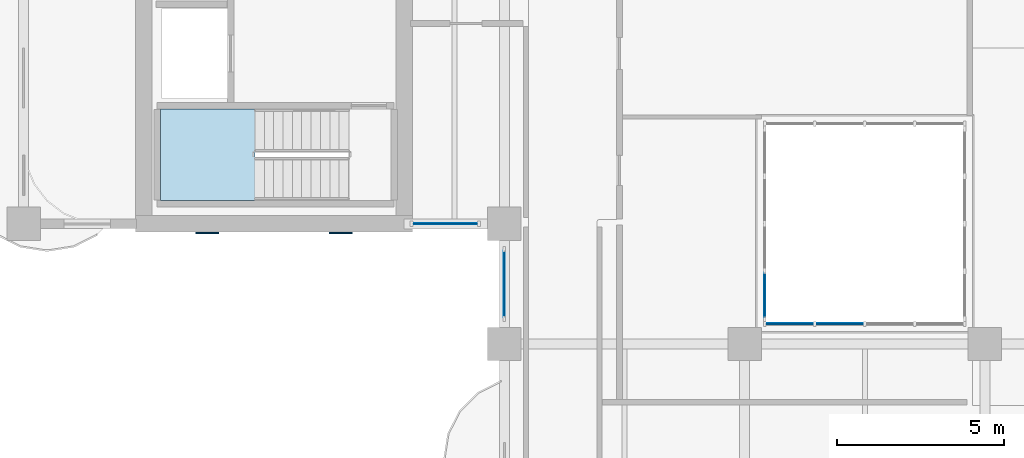
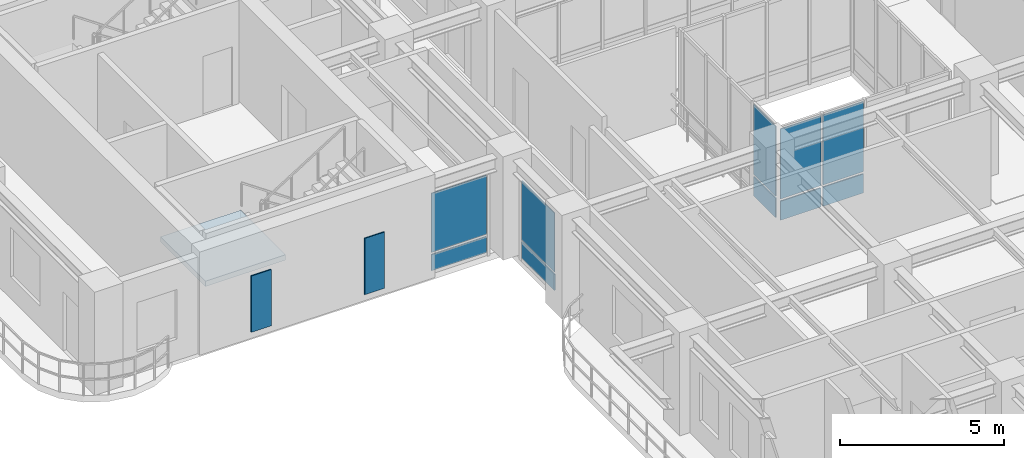
# One storey, part 8 of 19: 12 plates, 1 slab, 5 elements without a shape of their own.
"""IFC4 building model written with IfcOpenShell, lengths in metres."""

from ifc_helpers import new_model, si_unit, derived_unit, direction, frame, origin, origin_2d, place, context, subcontext, project, spatial, polyline, rectangle, outline, extrude, source, transform, mapped, material, layer, layer_set, type_object, type_shapes, element, aggregate, save


model = new_model("IFC4")

# Units and contexts
model_context = context("Model", 3, precision=1e-05, world=origin(), true_north=direction((0.0, 1.0)))
body_context = subcontext(model_context, "Body", "Model", "MODEL_VIEW")
ifc_project = project(units=[si_unit("LENGTHUNIT", "METRE"), si_unit("AREAUNIT", "SQUARE_METRE"), si_unit("VOLUMEUNIT", "CUBIC_METRE"), si_unit("PLANEANGLEUNIT", "RADIAN"), si_unit("MASSUNIT", "GRAM", prefix="KILO"), si_unit("THERMODYNAMICTEMPERATUREUNIT", "KELVIN"), si_unit("POWERUNIT", "WATT"), derived_unit("THERMALTRANSMITTANCEUNIT", [(si_unit("POWERUNIT", "WATT"), 1), (si_unit("AREAUNIT", "SQUARE_METRE"), -1), (si_unit("THERMODYNAMICTEMPERATUREUNIT", "KELVIN"), -1)])], contexts=[model_context])

# Site, building, storey
site_placement = place(None, origin())
site = spatial("IfcSite", under=ifc_project, at=site_placement, CompositionType="ELEMENT")
building_placement = place(site_placement, origin())
building = spatial("IfcBuilding", under=site, at=building_placement, Name="Zahravan Archway Hotel and Residences", CompositionType="ELEMENT")
storey_placement = place(building_placement, frame((0.0, 0.0, 150.300048828125)))
storey = spatial("IfcBuildingStorey", under=building, at=storey_placement, Name="L37", CompositionType="ELEMENT", Elevation=150.300048828125)

# Stair, slab
ifc_material_1 = material(Name="Concrete C50/60", Category="concrete")
stair_type = type_object("IfcStairType", Name="STR-CORE-1300", PredefinedType="HALF_TURN_STAIR", material=ifc_material_1)
stair_placement = place(storey_placement, origin())
stair = element("IfcStair", 1, at=stair_placement, inside=storey, type_object=stair_type, Name="L37 Core B Exit Stair 1", PredefinedType="HALF_TURN_STAIR")
ifc_layer_1 = layer(ifc_material_1, 0.199951171875, Name="Concrete C50/60", Category="concrete")
ifc_layer_set_1 = layer_set([ifc_layer_1], Name="Concrete C50/60")
slab_type = type_object("IfcSlabType", Name="SLB-LND-200", PredefinedType="LANDING", material=ifc_layer_set_1)
slab_placement = place(storey_placement, frame((0.0, 0.0, 1.724853515625)))
slab = element("IfcSlab", 2, at=slab_placement, type_object=slab_type, Name="ST-B1 landing 1", PredefinedType="LANDING", context=body_context, shape_type="SweptSolid", body=[
    extrude(outline(polyline([(6.929931640625, 28.639892578125), (4.10009765625, 28.639892578125), (4.10009765625, 25.89990234375), (6.929931640625, 25.89990234375), (6.929931640625, 28.639892578125)])), origin(), (0.0, 0.0, 1.0), 0.2001953125),
])
aggregate(stair, [slab])

# Plates
ifc_material_2 = material(Name="Perforated Cast Bronze Jali Lattice")
ifc_layer_2 = layer(ifc_material_2, 0.044921875, Name="Perforated Cast Bronze Jali Lattice")
ifc_layer_set_2 = layer_set([ifc_layer_2], Name="Perforated Cast Bronze Jali Lattice")
plate_type_1 = type_object("IfcPlateType", Name="PLT-JALI-BAY", PredefinedType="USERDEFINED", material=ifc_layer_set_2)
shared_shape_1 = source(origin(), body_context, "Body", "SweptSolid", [
    extrude(rectangle(XDim=0.699951171875, YDim=0.044921875, at=origin_2d()), origin(), (0.0, 0.0, 1.0), 2.10009765625),
])
type_shapes(plate_type_1, [shared_shape_1])
for number, where, z_axis, x_axis, name in (
    (3, (5.5, 24.931884765625, 0.25), (0.0, 0.0, 1.0), (1.0, 0.0, 0.0), "L37 Core B South Mughal Jali Screen 1"),
    (4, (9.5, 24.931884765625, 0.25), (0.0, 0.0, 1.0), (1.0, 0.0, 0.0), "L37 Core B South Mughal Jali Screen 2"),
):
    element("IfcPlate", number, at=place(storey_placement, frame(where, z_axis=z_axis, x_axis=x_axis)), inside=storey, type_object=plate_type_1, Name=name, ObjectType="SCREEN", PredefinedType="USERDEFINED", context=body_context, shape_type="MappedRepresentation", body=[
        mapped(shared_shape_1, transform((0.0, 0.0, 0.0), scale=1.0)),
    ])

# Curtain wall, plates
ifc_material_3 = material(Name="Bronze-Anodized Unitised Aluminium & Low-E Glass", Category="aluminium")
ifc_layer_3 = layer(ifc_material_3, 0.179931640625, Name="Bronze-Anodized Unitised Aluminium & Low-E Glass", Category="aluminium")
ifc_layer_set_3 = layer_set([ifc_layer_3], Name="Bronze-Anodized Unitised Aluminium & Low-E Glass")
curtain_wall_type = type_object("IfcCurtainWallType", Name="CW-ATR-GLAZ", PredefinedType="NOTDEFINED", material=ifc_layer_set_3)
curtain_wall_1_placement = place(storey_placement, origin())
curtain_wall_1 = element("IfcCurtainWall", 5, at=curtain_wall_1_placement, inside=storey, type_object=curtain_wall_type, Name="L37 Curtain Wall CW-ATR-L37-S-1", PredefinedType="NOTDEFINED")
ifc_material_4 = material(Name="Insulated Terracotta Spandrel Panel", Category="masonry")
ifc_layer_4 = layer(ifc_material_4, 0.0400390625, Name="Insulated Terracotta Spandrel Panel", Category="masonry")
ifc_layer_set_4 = layer_set([ifc_layer_4], Name="Insulated Terracotta Spandrel Panel")
plate_type_2 = type_object("IfcPlateType", Name="CWP-SPN-40", PredefinedType="SHEET", material=ifc_layer_set_4)
shared_shape_2 = source(origin(), body_context, "Body", "SweptSolid", [
    extrude(rectangle(XDim=1.419921875, YDim=0.0400390625, at=origin_2d()), origin(), (0.0, 0.0, 1.0), 0.7099609375),
])
plate_1_placement = place(storey_placement, frame((22.949951171875, 22.199951171875, 0.099853515625), z_axis=(0.0, 0.0, 1.0), x_axis=(1.0, 0.0, 0.0)))
plate_1 = element("IfcPlate", 6, at=plate_1_placement, type_object=plate_type_2, Name="CW-ATR-L37-S-1 Spandrel Panel 0", PredefinedType="SHEET", context=body_context, shape_type="MappedRepresentation", body=[
    mapped(shared_shape_2, transform((0.0, 0.0, 0.0), scale=1.0)),
])
plate_2_placement = place(storey_placement, frame((24.449951171875, 22.199951171875, 0.099853515625), z_axis=(0.0, 0.0, 1.0), x_axis=(1.0, 0.0, 0.0)))
plate_2 = element("IfcPlate", 7, at=plate_2_placement, type_object=plate_type_2, Name="CW-ATR-L37-S-1 Spandrel Panel 1", PredefinedType="SHEET", context=body_context, shape_type="MappedRepresentation", body=[
    mapped(shared_shape_2, transform((0.0, 0.0, 0.0), scale=1.0)),
])

# Curtain wall, plate
curtain_wall_2_placement = place(storey_placement, origin())
curtain_wall_2 = element("IfcCurtainWall", 8, at=curtain_wall_2_placement, inside=storey, type_object=curtain_wall_type, Name="L37 Curtain Wall CW-ATR-L37-W-1", PredefinedType="NOTDEFINED")
shared_shape_3 = source(origin(), body_context, "Body", "SweptSolid", [
    extrude(rectangle(XDim=1.344970703125, YDim=0.0400390625, at=origin_2d()), origin(), (0.0, 0.0, 1.0), 0.7099609375),
])
plate_3_placement = place(storey_placement, frame((22.199951171875, 23.0625, 0.099853515625), z_axis=(0.0, 0.0, 1.0), x_axis=(0.0, 1.0, 0.0)))
plate_3 = element("IfcPlate", 9, at=plate_3_placement, type_object=plate_type_2, Name="CW-ATR-L37-W-1 Spandrel Panel 0", PredefinedType="SHEET", context=body_context, shape_type="MappedRepresentation", body=[
    mapped(shared_shape_3, transform((0.0, 0.0, 0.0), scale=1.0)),
])

# Curtain wall, plates
curtain_wall_3_placement = place(storey_placement, origin())
curtain_wall_3 = element("IfcCurtainWall", 10, at=curtain_wall_3_placement, inside=storey, type_object=curtain_wall_type, Name="L37 Curtain Wall CW-L37-WA-WLU-1", PredefinedType="NOTDEFINED")
shared_shape_4 = source(origin(), body_context, "Body", "SweptSolid", [
    extrude(rectangle(XDim=2.0, YDim=0.0400390625, at=origin_2d()), origin(), (0.0, 0.0, 1.0), 0.600341796875),
])
plate_4_placement = place(storey_placement, frame((14.39990234375, 23.39990234375, 0.10009765625), z_axis=(0.0, 0.0, 1.0), x_axis=(0.0, 1.0, 0.0)))
plate_4 = element("IfcPlate", 11, at=plate_4_placement, type_object=plate_type_2, Name="CW-L37-WA-WLU-1 Spandrel Panel 0", PredefinedType="SHEET", context=body_context, shape_type="MappedRepresentation", body=[
    mapped(shared_shape_4, transform((0.0, 0.0, 0.0), scale=1.0)),
])
ifc_material_5 = material(Name="Double-Silver Low-E Insulated Vision Glass", Category="glass")
ifc_layer_5 = layer(ifc_material_5, 0.028076171875, Name="Double-Silver Low-E Insulated Vision Glass", Category="glass")
ifc_layer_set_5 = layer_set([ifc_layer_5], Name="Double-Silver Low-E Insulated Vision Glass")
plate_type_3 = type_object("IfcPlateType", Name="CWP-GLZ-28", PredefinedType="CURTAIN_PANEL", material=ifc_layer_set_5)
shared_shape_5 = source(origin(), body_context, "Body", "SweptSolid", [
    extrude(rectangle(XDim=2.0, YDim=0.028076171875, at=origin_2d()), origin(), (0.0, 0.0, 1.0), 2.20458984375),
])
plate_5_placement = place(storey_placement, frame((14.39990234375, 23.39990234375, 0.7802734375), z_axis=(0.0, 0.0, 1.0), x_axis=(0.0, 1.0, 0.0)))
plate_5 = element("IfcPlate", 12, at=plate_5_placement, type_object=plate_type_3, Name="CW-L37-WA-WLU-1 Low-E Vision Panel 0", PredefinedType="CURTAIN_PANEL", context=body_context, shape_type="MappedRepresentation", body=[
    mapped(shared_shape_5, transform((0.0, 0.0, 0.0), scale=1.0)),
])
aggregate(curtain_wall_3, [plate_4, plate_5])

curtain_wall_4_placement = place(storey_placement, origin())
curtain_wall_4 = element("IfcCurtainWall", 13, at=curtain_wall_4_placement, inside=storey, type_object=curtain_wall_type, Name="L37 Curtain Wall CW-L37-WB-SE-1", PredefinedType="NOTDEFINED")
shared_shape_6 = source(origin(), body_context, "Body", "SweptSolid", [
    extrude(rectangle(XDim=1.93994140625, YDim=0.0400390625, at=origin_2d()), origin(), (0.0, 0.0, 1.0), 0.600341796875),
])
plate_6_placement = place(storey_placement, frame((12.6298828125, 25.199951171875, 0.10009765625), z_axis=(0.0, 0.0, 1.0), x_axis=(1.0, 0.0, 0.0)))
plate_6 = element("IfcPlate", 14, at=plate_6_placement, type_object=plate_type_2, Name="CW-L37-WB-SE-1 Spandrel Panel 0", PredefinedType="SHEET", context=body_context, shape_type="MappedRepresentation", body=[
    mapped(shared_shape_6, transform((0.0, 0.0, 0.0), scale=1.0)),
])
shared_shape_7 = source(origin(), body_context, "Body", "SweptSolid", [
    extrude(rectangle(XDim=1.93994140625, YDim=0.028076171875, at=origin_2d()), origin(), (0.0, 0.0, 1.0), 2.20458984375),
])
plate_7_placement = place(storey_placement, frame((12.6298828125, 25.199951171875, 0.7802734375), z_axis=(0.0, 0.0, 1.0), x_axis=(1.0, 0.0, 0.0)))
plate_7 = element("IfcPlate", 15, at=plate_7_placement, type_object=plate_type_3, Name="CW-L37-WB-SE-1 Low-E Vision Panel 0", PredefinedType="CURTAIN_PANEL", context=body_context, shape_type="MappedRepresentation", body=[
    mapped(shared_shape_7, transform((0.0, 0.0, 0.0), scale=1.0)),
])
aggregate(curtain_wall_4, [plate_6, plate_7])

# Plate
shared_shape_8 = source(origin(), body_context, "Body", "SweptSolid", [
    extrude(rectangle(XDim=1.419921875, YDim=0.028076171875, at=origin_2d()), origin(), (0.0, 0.0, 1.0), 2.610107421875),
])
plate_8_placement = place(storey_placement, frame((22.949951171875, 22.199951171875, 0.89013671875), z_axis=(0.0, 0.0, 1.0), x_axis=(1.0, 0.0, 0.0)))
plate_8 = element("IfcPlate", 16, at=plate_8_placement, type_object=plate_type_3, Name="CW-ATR-L37-S-1 Low-E Vision Panel 0", PredefinedType="CURTAIN_PANEL", context=body_context, shape_type="MappedRepresentation", body=[
    mapped(shared_shape_8, transform((0.0, 0.0, 0.0), scale=1.0)),
])

plate_9_placement = place(storey_placement, frame((24.449951171875, 22.199951171875, 0.89013671875), z_axis=(0.0, 0.0, 1.0), x_axis=(1.0, 0.0, 0.0)))
plate_9 = element("IfcPlate", 17, at=plate_9_placement, type_object=plate_type_3, Name="CW-ATR-L37-S-1 Low-E Vision Panel 1", PredefinedType="CURTAIN_PANEL", context=body_context, shape_type="MappedRepresentation", body=[
    mapped(shared_shape_8, transform((0.0, 0.0, 0.0), scale=1.0)),
])

aggregate(curtain_wall_1, [plate_1, plate_8, plate_2, plate_9])

shared_shape_9 = source(origin(), body_context, "Body", "SweptSolid", [
    extrude(rectangle(XDim=1.344970703125, YDim=0.028076171875, at=origin_2d()), origin(), (0.0, 0.0, 1.0), 2.610107421875),
])
plate_10_placement = place(storey_placement, frame((22.199951171875, 23.0625, 0.89013671875), z_axis=(0.0, 0.0, 1.0), x_axis=(0.0, 1.0, 0.0)))
plate_10 = element("IfcPlate", 18, at=plate_10_placement, type_object=plate_type_3, Name="CW-ATR-L37-W-1 Low-E Vision Panel 0", PredefinedType="CURTAIN_PANEL", context=body_context, shape_type="MappedRepresentation", body=[
    mapped(shared_shape_9, transform((0.0, 0.0, 0.0), scale=1.0)),
])

aggregate(curtain_wall_2, [plate_3, plate_10])

save(model, "model.ifc")
